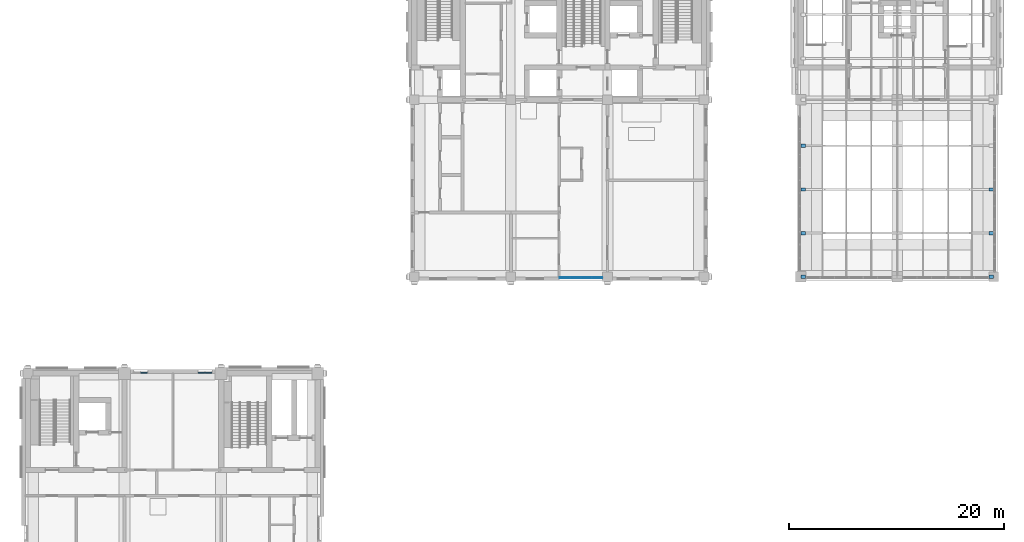
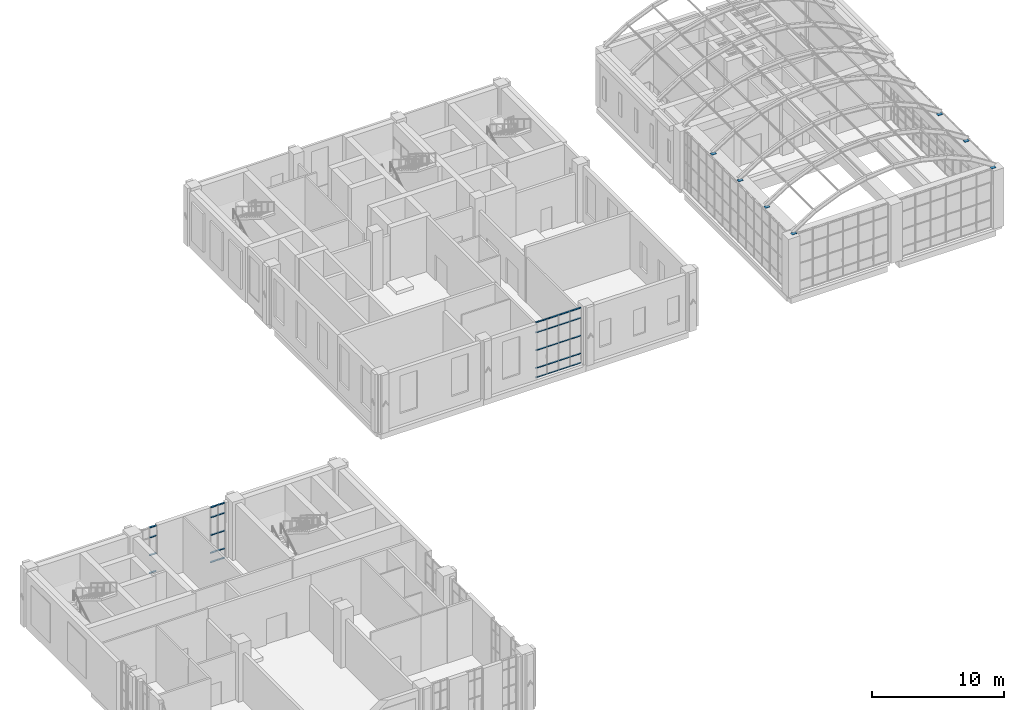
# One storey, part 15 of 39: 41 members, 3 elements without a shape of their own.
"""IFC4 building model written with IfcOpenShell, lengths in metres."""

from ifc_helpers import new_model, si_unit, direction, frame, origin, origin_2d, place, context, subcontext, project, spatial, rectangle, extrude, material, layer, layer_set, material_profile, profile_set, type_object, element, aggregate, save


model = new_model("IFC4")

# Units and contexts
model_context = context("Model", 3, precision=1e-05, world=origin(), true_north=direction((0.0, 1.0)))
body_context = subcontext(model_context, "Body", "Model", "MODEL_VIEW")
ifc_project = project(units=[si_unit("LENGTHUNIT", "METRE"), si_unit("AREAUNIT", "SQUARE_METRE"), si_unit("VOLUMEUNIT", "CUBIC_METRE"), si_unit("PLANEANGLEUNIT", "RADIAN"), si_unit("MASSUNIT", "GRAM", prefix="KILO")], contexts=[model_context])

# Site, building, storey
site_placement = place(None, origin())
site = spatial("IfcSite", under=ifc_project, at=site_placement, CompositionType="ELEMENT")
building_placement = place(site_placement, origin())
building = spatial("IfcBuilding", under=site, at=building_placement, Name="Aurelan Courthouse", CompositionType="ELEMENT")
storey_placement = place(building_placement, frame((0.0, 0.0, 28.199951171875)))
storey = spatial("IfcBuildingStorey", under=building, at=storey_placement, Name="L05", CompositionType="ELEMENT", Elevation=28.199951171875)

# Curtain wall, members
ifc_material_1 = material(Name="Bronze-finished aluminium and glass", Category="aluminium")
ifc_layer_1 = layer(ifc_material_1, 0.14990234375)
ifc_layer_set_1 = layer_set([ifc_layer_1], Name="Bronze-finished aluminium and glass")
curtain_wall_type_1 = type_object("IfcCurtainWallType", Name="Curtain wall 4050 x 5150", PredefinedType="NOTDEFINED", material=ifc_layer_set_1)
curtain_wall_1_placement = place(storey_placement, origin())
curtain_wall_1 = element("IfcCurtainWall", 1, at=curtain_wall_1_placement, inside=storey, type_object=curtain_wall_type_1, Name="Curtain wall CW-V2-L05-S01", PredefinedType="NOTDEFINED")
ifc_material_2 = material(Name="Bronze-finished aluminium", Category="aluminium")
ifc_material_profile_1 = material_profile(ifc_material_2, rectangle(XDim=0.090087890625, YDim=0.050048828125, at=origin_2d()), Name="Bronze transom 50 x 90")
ifc_profile_set_1 = profile_set([ifc_material_profile_1], Name="Bronze-finished aluminium")
member_type_1 = type_object("IfcMemberType", Name="Curtain wall transom 50 x 90", PredefinedType="USERDEFINED", material=ifc_profile_set_1)
member_1_placement = place(storey_placement, frame((49.550048828125, 37.425048828125, 0.025146484375), z_axis=(1.0, 0.0, 0.0), x_axis=(0.0, 1.0, 0.0)))
member_1 = element("IfcMember", 2, at=member_1_placement, type_object=member_type_1, Name="CW-V2-L05-S01 transom 1.1", ObjectType="TRANSOM", PredefinedType="USERDEFINED", context=body_context, shape_type="SweptSolid", body=[
    extrude(rectangle(XDim=0.090087890625, YDim=0.050048828125, at=origin_2d()), origin(), (0.0, 0.0, 1.0), 0.9375),
])
member_2_placement = place(storey_placement, frame((49.550048828125, 37.425048828125, 0.900146484375), z_axis=(1.0, 0.0, 0.0), x_axis=(0.0, 1.0, 0.0)))
member_2 = element("IfcMember", 3, at=member_2_placement, type_object=member_type_1, Name="CW-V2-L05-S01 transom 1.2", ObjectType="TRANSOM", PredefinedType="USERDEFINED", context=body_context, shape_type="SweptSolid", body=[
    extrude(rectangle(XDim=0.090087890625, YDim=0.050048828125, at=origin_2d()), origin(), (0.0, 0.0, 1.0), 0.9375),
])
member_3_placement = place(storey_placement, frame((49.550048828125, 37.425048828125, 2.550048828125), z_axis=(1.0, 0.0, 0.0), x_axis=(0.0, 1.0, 0.0)))
member_3 = element("IfcMember", 4, at=member_3_placement, type_object=member_type_1, Name="CW-V2-L05-S01 transom 1.3", ObjectType="TRANSOM", PredefinedType="USERDEFINED", context=body_context, shape_type="SweptSolid", body=[
    extrude(rectangle(XDim=0.090087890625, YDim=0.050048828125, at=origin_2d()), origin(), (0.0, 0.0, 1.0), 0.9375),
])
member_4_placement = place(storey_placement, frame((49.550048828125, 37.425048828125, 4.199951171875), z_axis=(1.0, 0.0, 0.0), x_axis=(0.0, 1.0, 0.0)))
member_4 = element("IfcMember", 5, at=member_4_placement, type_object=member_type_1, Name="CW-V2-L05-S01 transom 1.4", ObjectType="TRANSOM", PredefinedType="USERDEFINED", context=body_context, shape_type="SweptSolid", body=[
    extrude(rectangle(XDim=0.090087890625, YDim=0.050048828125, at=origin_2d()), origin(), (0.0, 0.0, 1.0), 0.9375),
])
member_5_placement = place(storey_placement, frame((49.550048828125, 37.425048828125, 5.125), z_axis=(1.0, 0.0, 0.0), x_axis=(0.0, 1.0, 0.0)))
member_5 = element("IfcMember", 6, at=member_5_placement, type_object=member_type_1, Name="CW-V2-L05-S01 transom 1.5", ObjectType="TRANSOM", PredefinedType="USERDEFINED", context=body_context, shape_type="SweptSolid", body=[
    extrude(rectangle(XDim=0.090087890625, YDim=0.050048828125, at=origin_2d()), origin(), (0.0, 0.0, 1.0), 0.9375),
])
member_6_placement = place(storey_placement, frame((50.53759765625, 37.425048828125, 0.025146484375), z_axis=(1.0, 0.0, 0.0), x_axis=(0.0, 1.0, 0.0)))
member_6 = element("IfcMember", 7, at=member_6_placement, type_object=member_type_1, Name="CW-V2-L05-S01 transom 2.1", ObjectType="TRANSOM", PredefinedType="USERDEFINED", context=body_context, shape_type="SweptSolid", body=[
    extrude(rectangle(XDim=0.090087890625, YDim=0.050048828125, at=origin_2d()), origin(), (0.0, 0.0, 1.0), 0.96240234375),
])
member_7_placement = place(storey_placement, frame((50.53759765625, 37.425048828125, 0.900146484375), z_axis=(1.0, 0.0, 0.0), x_axis=(0.0, 1.0, 0.0)))
member_7 = element("IfcMember", 8, at=member_7_placement, type_object=member_type_1, Name="CW-V2-L05-S01 transom 2.2", ObjectType="TRANSOM", PredefinedType="USERDEFINED", context=body_context, shape_type="SweptSolid", body=[
    extrude(rectangle(XDim=0.090087890625, YDim=0.050048828125, at=origin_2d()), origin(), (0.0, 0.0, 1.0), 0.96240234375),
])
member_8_placement = place(storey_placement, frame((50.53759765625, 37.425048828125, 2.550048828125), z_axis=(1.0, 0.0, 0.0), x_axis=(0.0, 1.0, 0.0)))
member_8 = element("IfcMember", 9, at=member_8_placement, type_object=member_type_1, Name="CW-V2-L05-S01 transom 2.3", ObjectType="TRANSOM", PredefinedType="USERDEFINED", context=body_context, shape_type="SweptSolid", body=[
    extrude(rectangle(XDim=0.090087890625, YDim=0.050048828125, at=origin_2d()), origin(), (0.0, 0.0, 1.0), 0.96240234375),
])
member_9_placement = place(storey_placement, frame((50.53759765625, 37.425048828125, 4.199951171875), z_axis=(1.0, 0.0, 0.0), x_axis=(0.0, 1.0, 0.0)))
member_9 = element("IfcMember", 10, at=member_9_placement, type_object=member_type_1, Name="CW-V2-L05-S01 transom 2.4", ObjectType="TRANSOM", PredefinedType="USERDEFINED", context=body_context, shape_type="SweptSolid", body=[
    extrude(rectangle(XDim=0.090087890625, YDim=0.050048828125, at=origin_2d()), origin(), (0.0, 0.0, 1.0), 0.96240234375),
])
member_10_placement = place(storey_placement, frame((50.53759765625, 37.425048828125, 5.125), z_axis=(1.0, 0.0, 0.0), x_axis=(0.0, 1.0, 0.0)))
member_10 = element("IfcMember", 11, at=member_10_placement, type_object=member_type_1, Name="CW-V2-L05-S01 transom 2.5", ObjectType="TRANSOM", PredefinedType="USERDEFINED", context=body_context, shape_type="SweptSolid", body=[
    extrude(rectangle(XDim=0.090087890625, YDim=0.050048828125, at=origin_2d()), origin(), (0.0, 0.0, 1.0), 0.96240234375),
])
member_11_placement = place(storey_placement, frame((51.550048828125, 37.425048828125, 0.025146484375), z_axis=(1.0, 0.0, 0.0), x_axis=(0.0, 1.0, 0.0)))
member_11 = element("IfcMember", 12, at=member_11_placement, type_object=member_type_1, Name="CW-V2-L05-S01 transom 3.1", ObjectType="TRANSOM", PredefinedType="USERDEFINED", context=body_context, shape_type="SweptSolid", body=[
    extrude(rectangle(XDim=0.090087890625, YDim=0.050048828125, at=origin_2d()), origin(), (0.0, 0.0, 1.0), 0.96240234375),
])
member_12_placement = place(storey_placement, frame((51.550048828125, 37.425048828125, 0.900146484375), z_axis=(1.0, 0.0, 0.0), x_axis=(0.0, 1.0, 0.0)))
member_12 = element("IfcMember", 13, at=member_12_placement, type_object=member_type_1, Name="CW-V2-L05-S01 transom 3.2", ObjectType="TRANSOM", PredefinedType="USERDEFINED", context=body_context, shape_type="SweptSolid", body=[
    extrude(rectangle(XDim=0.090087890625, YDim=0.050048828125, at=origin_2d()), origin(), (0.0, 0.0, 1.0), 0.96240234375),
])
member_13_placement = place(storey_placement, frame((51.550048828125, 37.425048828125, 2.550048828125), z_axis=(1.0, 0.0, 0.0), x_axis=(0.0, 1.0, 0.0)))
member_13 = element("IfcMember", 14, at=member_13_placement, type_object=member_type_1, Name="CW-V2-L05-S01 transom 3.3", ObjectType="TRANSOM", PredefinedType="USERDEFINED", context=body_context, shape_type="SweptSolid", body=[
    extrude(rectangle(XDim=0.090087890625, YDim=0.050048828125, at=origin_2d()), origin(), (0.0, 0.0, 1.0), 0.96240234375),
])
member_14_placement = place(storey_placement, frame((51.550048828125, 37.425048828125, 4.199951171875), z_axis=(1.0, 0.0, 0.0), x_axis=(0.0, 1.0, 0.0)))
member_14 = element("IfcMember", 15, at=member_14_placement, type_object=member_type_1, Name="CW-V2-L05-S01 transom 3.4", ObjectType="TRANSOM", PredefinedType="USERDEFINED", context=body_context, shape_type="SweptSolid", body=[
    extrude(rectangle(XDim=0.090087890625, YDim=0.050048828125, at=origin_2d()), origin(), (0.0, 0.0, 1.0), 0.96240234375),
])
member_15_placement = place(storey_placement, frame((51.550048828125, 37.425048828125, 5.125), z_axis=(1.0, 0.0, 0.0), x_axis=(0.0, 1.0, 0.0)))
member_15 = element("IfcMember", 16, at=member_15_placement, type_object=member_type_1, Name="CW-V2-L05-S01 transom 3.5", ObjectType="TRANSOM", PredefinedType="USERDEFINED", context=body_context, shape_type="SweptSolid", body=[
    extrude(rectangle(XDim=0.090087890625, YDim=0.050048828125, at=origin_2d()), origin(), (0.0, 0.0, 1.0), 0.96240234375),
])
member_16_placement = place(storey_placement, frame((52.5625, 37.425048828125, 0.025146484375), z_axis=(1.0, 0.0, 0.0), x_axis=(0.0, 1.0, 0.0)))
member_16 = element("IfcMember", 17, at=member_16_placement, type_object=member_type_1, Name="CW-V2-L05-S01 transom 4.1", ObjectType="TRANSOM", PredefinedType="USERDEFINED", context=body_context, shape_type="SweptSolid", body=[
    extrude(rectangle(XDim=0.090087890625, YDim=0.050048828125, at=origin_2d()), origin(), (0.0, 0.0, 1.0), 0.9375),
])
member_17_placement = place(storey_placement, frame((52.5625, 37.425048828125, 0.900146484375), z_axis=(1.0, 0.0, 0.0), x_axis=(0.0, 1.0, 0.0)))
member_17 = element("IfcMember", 18, at=member_17_placement, type_object=member_type_1, Name="CW-V2-L05-S01 transom 4.2", ObjectType="TRANSOM", PredefinedType="USERDEFINED", context=body_context, shape_type="SweptSolid", body=[
    extrude(rectangle(XDim=0.090087890625, YDim=0.050048828125, at=origin_2d()), origin(), (0.0, 0.0, 1.0), 0.9375),
])
member_18_placement = place(storey_placement, frame((52.5625, 37.425048828125, 2.550048828125), z_axis=(1.0, 0.0, 0.0), x_axis=(0.0, 1.0, 0.0)))
member_18 = element("IfcMember", 19, at=member_18_placement, type_object=member_type_1, Name="CW-V2-L05-S01 transom 4.3", ObjectType="TRANSOM", PredefinedType="USERDEFINED", context=body_context, shape_type="SweptSolid", body=[
    extrude(rectangle(XDim=0.090087890625, YDim=0.050048828125, at=origin_2d()), origin(), (0.0, 0.0, 1.0), 0.9375),
])
member_19_placement = place(storey_placement, frame((52.5625, 37.425048828125, 4.199951171875), z_axis=(1.0, 0.0, 0.0), x_axis=(0.0, 1.0, 0.0)))
member_19 = element("IfcMember", 20, at=member_19_placement, type_object=member_type_1, Name="CW-V2-L05-S01 transom 4.4", ObjectType="TRANSOM", PredefinedType="USERDEFINED", context=body_context, shape_type="SweptSolid", body=[
    extrude(rectangle(XDim=0.090087890625, YDim=0.050048828125, at=origin_2d()), origin(), (0.0, 0.0, 1.0), 0.9375),
])
member_20_placement = place(storey_placement, frame((52.5625, 37.425048828125, 5.125), z_axis=(1.0, 0.0, 0.0), x_axis=(0.0, 1.0, 0.0)))
member_20 = element("IfcMember", 21, at=member_20_placement, type_object=member_type_1, Name="CW-V2-L05-S01 transom 4.5", ObjectType="TRANSOM", PredefinedType="USERDEFINED", context=body_context, shape_type="SweptSolid", body=[
    extrude(rectangle(XDim=0.090087890625, YDim=0.050048828125, at=origin_2d()), origin(), (0.0, 0.0, 1.0), 0.9375),
])
aggregate(curtain_wall_1, [member_1, member_2, member_3, member_4, member_5, member_6, member_7, member_8, member_9, member_10, member_11, member_12, member_13, member_14, member_15, member_16, member_17, member_18, member_19, member_20])

ifc_layer_2 = layer(ifc_material_1, 0.14990234375)
ifc_layer_set_2 = layer_set([ifc_layer_2], Name="Bronze-finished aluminium and glass")
curtain_wall_type_2 = type_object("IfcCurtainWallType", Name="Curtain wall 1350 x 5150", PredefinedType="NOTDEFINED", material=ifc_layer_set_2)
curtain_wall_2_placement = place(storey_placement, origin())
curtain_wall_2 = element("IfcCurtainWall", 22, at=curtain_wall_2_placement, inside=storey, type_object=curtain_wall_type_2, Name="Curtain wall CW-V5-L05-N01", PredefinedType="NOTDEFINED")
ifc_material_profile_2 = material_profile(ifc_material_2, rectangle(XDim=0.10009765625, YDim=0.06005859375, at=origin_2d()), Name="Bronze transom 60 x 100")
ifc_profile_set_2 = profile_set([ifc_material_profile_2], Name="Bronze-finished aluminium")
member_type_2 = type_object("IfcMemberType", Name="Curtain wall transom 60 x 100", PredefinedType="USERDEFINED", material=ifc_profile_set_2)
member_21_placement = place(storey_placement, frame((10.530029296875, 28.574951171875, 0.900146484375), z_axis=(1.0, 0.0, 0.0), x_axis=(0.0, 1.0, 0.0)))
member_21 = element("IfcMember", 23, at=member_21_placement, type_object=member_type_2, Name="CW-V5-L05-N01 transom 2.2", ObjectType="TRANSOM", PredefinedType="USERDEFINED", context=body_context, shape_type="SweptSolid", body=[
    extrude(rectangle(XDim=0.10009765625, YDim=0.06005859375, at=origin_2d()), origin(), (0.0, 0.0, 1.0), 0.5849609375),
])
member_22_placement = place(storey_placement, frame((10.530029296875, 28.574951171875, 2.550048828125), z_axis=(1.0, 0.0, 0.0), x_axis=(0.0, 1.0, 0.0)))
member_22 = element("IfcMember", 24, at=member_22_placement, type_object=member_type_2, Name="CW-V5-L05-N01 transom 2.3", ObjectType="TRANSOM", PredefinedType="USERDEFINED", context=body_context, shape_type="SweptSolid", body=[
    extrude(rectangle(XDim=0.10009765625, YDim=0.06005859375, at=origin_2d()), origin(), (0.0, 0.0, 1.0), 0.5849609375),
])
member_23_placement = place(storey_placement, frame((10.530029296875, 28.574951171875, 4.199951171875), z_axis=(1.0, 0.0, 0.0), x_axis=(0.0, 1.0, 0.0)))
member_23 = element("IfcMember", 25, at=member_23_placement, type_object=member_type_2, Name="CW-V5-L05-N01 transom 2.4", ObjectType="TRANSOM", PredefinedType="USERDEFINED", context=body_context, shape_type="SweptSolid", body=[
    extrude(rectangle(XDim=0.10009765625, YDim=0.06005859375, at=origin_2d()), origin(), (0.0, 0.0, 1.0), 0.5849609375),
])
member_24_placement = place(storey_placement, frame((10.530029296875, 28.574951171875, 5.1201171875), z_axis=(1.0, 0.0, 0.0), x_axis=(0.0, 1.0, 0.0)))
member_24 = element("IfcMember", 26, at=member_24_placement, type_object=member_type_2, Name="CW-V5-L05-N01 transom 2.5", ObjectType="TRANSOM", PredefinedType="USERDEFINED", context=body_context, shape_type="SweptSolid", body=[
    extrude(rectangle(XDim=0.10009765625, YDim=0.06005859375, at=origin_2d()), origin(), (0.0, 0.0, 1.0), 0.5849609375),
])
aggregate(curtain_wall_2, [member_21, member_22, member_23, member_24])

curtain_wall_3_placement = place(storey_placement, origin())
curtain_wall_3 = element("IfcCurtainWall", 27, at=curtain_wall_3_placement, inside=storey, type_object=curtain_wall_type_2, Name="Curtain wall CW-V5-L05-N02", PredefinedType="NOTDEFINED")
member_25_placement = place(storey_placement, frame((15.885009765625, 28.574951171875, 0.030029296875), z_axis=(1.0, 0.0, 0.0), x_axis=(0.0, 1.0, 0.0)))
member_25 = element("IfcMember", 28, at=member_25_placement, type_object=member_type_2, Name="CW-V5-L05-N02 transom 1.1", ObjectType="TRANSOM", PredefinedType="USERDEFINED", context=body_context, shape_type="SweptSolid", body=[
    extrude(rectangle(XDim=0.10009765625, YDim=0.06005859375, at=origin_2d()), origin(), (0.0, 0.0, 1.0), 0.5849609375),
])
member_26_placement = place(storey_placement, frame((15.885009765625, 28.574951171875, 0.900146484375), z_axis=(1.0, 0.0, 0.0), x_axis=(0.0, 1.0, 0.0)))
member_26 = element("IfcMember", 29, at=member_26_placement, type_object=member_type_2, Name="CW-V5-L05-N02 transom 1.2", ObjectType="TRANSOM", PredefinedType="USERDEFINED", context=body_context, shape_type="SweptSolid", body=[
    extrude(rectangle(XDim=0.10009765625, YDim=0.06005859375, at=origin_2d()), origin(), (0.0, 0.0, 1.0), 0.5849609375),
])
member_27_placement = place(storey_placement, frame((15.885009765625, 28.574951171875, 2.550048828125), z_axis=(1.0, 0.0, 0.0), x_axis=(0.0, 1.0, 0.0)))
member_27 = element("IfcMember", 30, at=member_27_placement, type_object=member_type_2, Name="CW-V5-L05-N02 transom 1.3", ObjectType="TRANSOM", PredefinedType="USERDEFINED", context=body_context, shape_type="SweptSolid", body=[
    extrude(rectangle(XDim=0.10009765625, YDim=0.06005859375, at=origin_2d()), origin(), (0.0, 0.0, 1.0), 0.5849609375),
])
member_28_placement = place(storey_placement, frame((15.885009765625, 28.574951171875, 4.199951171875), z_axis=(1.0, 0.0, 0.0), x_axis=(0.0, 1.0, 0.0)))
member_28 = element("IfcMember", 31, at=member_28_placement, type_object=member_type_2, Name="CW-V5-L05-N02 transom 1.4", ObjectType="TRANSOM", PredefinedType="USERDEFINED", context=body_context, shape_type="SweptSolid", body=[
    extrude(rectangle(XDim=0.10009765625, YDim=0.06005859375, at=origin_2d()), origin(), (0.0, 0.0, 1.0), 0.5849609375),
])
member_29_placement = place(storey_placement, frame((15.885009765625, 28.574951171875, 5.1201171875), z_axis=(1.0, 0.0, 0.0), x_axis=(0.0, 1.0, 0.0)))
member_29 = element("IfcMember", 32, at=member_29_placement, type_object=member_type_2, Name="CW-V5-L05-N02 transom 1.5", ObjectType="TRANSOM", PredefinedType="USERDEFINED", context=body_context, shape_type="SweptSolid", body=[
    extrude(rectangle(XDim=0.10009765625, YDim=0.06005859375, at=origin_2d()), origin(), (0.0, 0.0, 1.0), 0.5849609375),
])
member_30_placement = place(storey_placement, frame((16.530029296875, 28.574951171875, 0.030029296875), z_axis=(1.0, 0.0, 0.0), x_axis=(0.0, 1.0, 0.0)))
member_30 = element("IfcMember", 33, at=member_30_placement, type_object=member_type_2, Name="CW-V5-L05-N02 transom 2.1", ObjectType="TRANSOM", PredefinedType="USERDEFINED", context=body_context, shape_type="SweptSolid", body=[
    extrude(rectangle(XDim=0.10009765625, YDim=0.06005859375, at=origin_2d()), origin(), (0.0, 0.0, 1.0), 0.5849609375),
])
member_31_placement = place(storey_placement, frame((16.530029296875, 28.574951171875, 0.900146484375), z_axis=(1.0, 0.0, 0.0), x_axis=(0.0, 1.0, 0.0)))
member_31 = element("IfcMember", 34, at=member_31_placement, type_object=member_type_2, Name="CW-V5-L05-N02 transom 2.2", ObjectType="TRANSOM", PredefinedType="USERDEFINED", context=body_context, shape_type="SweptSolid", body=[
    extrude(rectangle(XDim=0.10009765625, YDim=0.06005859375, at=origin_2d()), origin(), (0.0, 0.0, 1.0), 0.5849609375),
])
member_32_placement = place(storey_placement, frame((16.530029296875, 28.574951171875, 2.550048828125), z_axis=(1.0, 0.0, 0.0), x_axis=(0.0, 1.0, 0.0)))
member_32 = element("IfcMember", 35, at=member_32_placement, type_object=member_type_2, Name="CW-V5-L05-N02 transom 2.3", ObjectType="TRANSOM", PredefinedType="USERDEFINED", context=body_context, shape_type="SweptSolid", body=[
    extrude(rectangle(XDim=0.10009765625, YDim=0.06005859375, at=origin_2d()), origin(), (0.0, 0.0, 1.0), 0.5849609375),
])
member_33_placement = place(storey_placement, frame((16.530029296875, 28.574951171875, 4.199951171875), z_axis=(1.0, 0.0, 0.0), x_axis=(0.0, 1.0, 0.0)))
member_33 = element("IfcMember", 36, at=member_33_placement, type_object=member_type_2, Name="CW-V5-L05-N02 transom 2.4", ObjectType="TRANSOM", PredefinedType="USERDEFINED", context=body_context, shape_type="SweptSolid", body=[
    extrude(rectangle(XDim=0.10009765625, YDim=0.06005859375, at=origin_2d()), origin(), (0.0, 0.0, 1.0), 0.5849609375),
])
member_34_placement = place(storey_placement, frame((16.530029296875, 28.574951171875, 5.1201171875), z_axis=(1.0, 0.0, 0.0), x_axis=(0.0, 1.0, 0.0)))
member_34 = element("IfcMember", 37, at=member_34_placement, type_object=member_type_2, Name="CW-V5-L05-N02 transom 2.5", ObjectType="TRANSOM", PredefinedType="USERDEFINED", context=body_context, shape_type="SweptSolid", body=[
    extrude(rectangle(XDim=0.10009765625, YDim=0.06005859375, at=origin_2d()), origin(), (0.0, 0.0, 1.0), 0.5849609375),
])
aggregate(curtain_wall_3, [member_25, member_26, member_27, member_28, member_29, member_30, member_31, member_32, member_33, member_34])

# Members
ifc_material_3 = material(Name="Steel S355", Category="steel")
ifc_material_profile_3 = material_profile(ifc_material_3, rectangle(XDim=0.39990234375, YDim=0.300048828125, at=origin_2d()), Name="PL 400 x 300")
ifc_profile_set_3 = profile_set([ifc_material_profile_3], Name="Steel S355")
member_type_3 = type_object("IfcMemberType", Name="Rib bearing shoe 400 x 300 x 20", PredefinedType="USERDEFINED", material=ifc_profile_set_3)
for number, where, z_axis, x_axis, name in (
    (38, (72.25, 37.5, 5.400146484375), (0.0, 0.0, 1.0), (1.0, 0.0, 0.0), "Rib bearing shoe VS-1W"),
    (39, (89.75, 37.5, 5.400146484375), (0.0, 0.0, 1.0), (1.0, 0.0, 0.0), "Rib bearing shoe VS-1E"),
    (40, (72.25, 41.5712890625, 5.400146484375), (0.0, 0.0, 1.0), (1.0, 0.0, 0.0), "Rib bearing shoe VS-2W"),
    (41, (89.75, 41.5712890625, 5.400146484375), (0.0, 0.0, 1.0), (1.0, 0.0, 0.0), "Rib bearing shoe VS-2E"),
    (42, (72.25, 45.642822265625, 5.400146484375), (0.0, 0.0, 1.0), (1.0, 0.0, 0.0), "Rib bearing shoe VS-3W"),
    (43, (89.75, 45.642822265625, 5.400146484375), (0.0, 0.0, 1.0), (1.0, 0.0, 0.0), "Rib bearing shoe VS-3E"),
    (44, (72.25, 49.71435546875, 5.400146484375), (0.0, 0.0, 1.0), (1.0, 0.0, 0.0), "Rib bearing shoe VS-4W"),
):
    element("IfcMember", number, at=place(storey_placement, frame(where, z_axis=z_axis, x_axis=x_axis)), inside=storey, type_object=member_type_3, Name=name, ObjectType="BEARING SHOE", PredefinedType="USERDEFINED", context=body_context, shape_type="SweptSolid", body=[
        extrude(rectangle(XDim=0.39990234375, YDim=0.300048828125, at=origin_2d()), origin(), (0.0, 0.0, 1.0), 0.02001953125),
    ])

save(model, "model.ifc")
